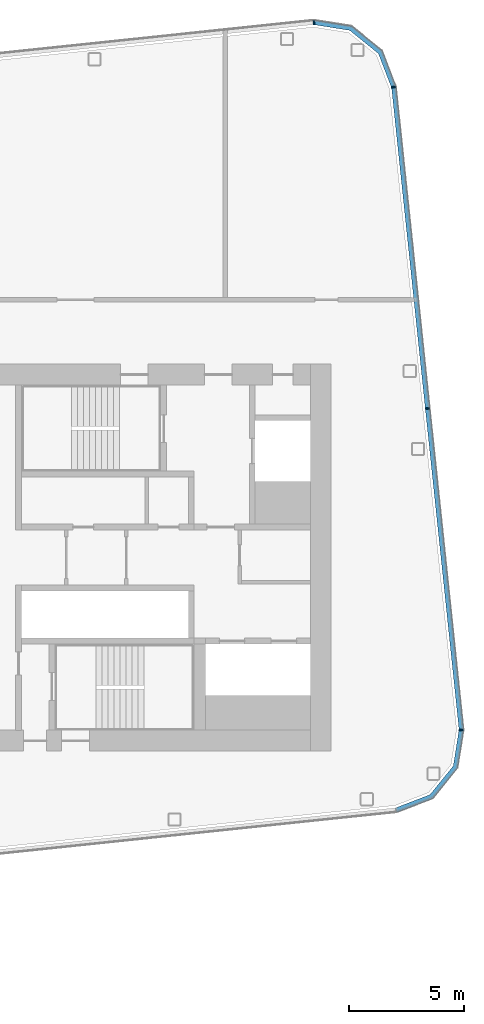
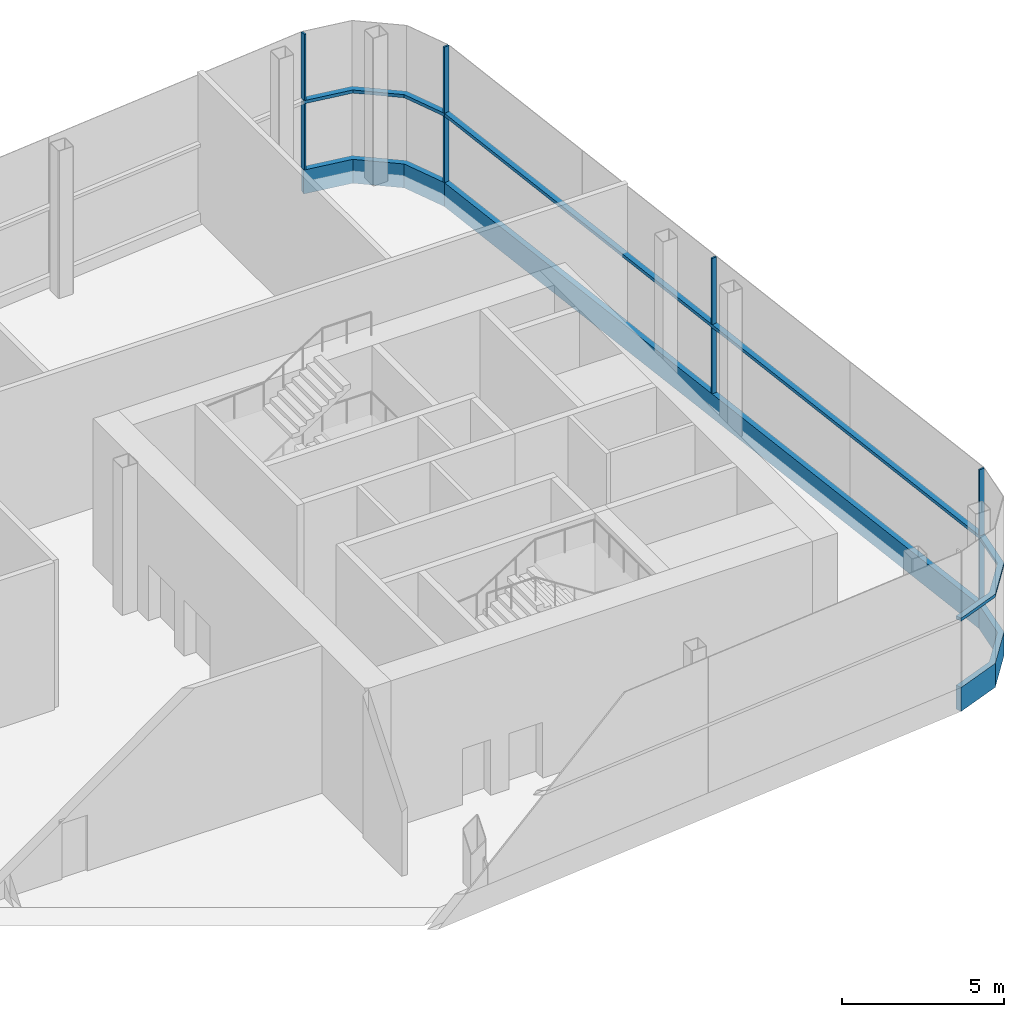
# One storey, part 12 of 35: 14 members, 4 elements without a shape of their own.
"""IFC4 building model written with IfcOpenShell, lengths in metres."""

from ifc_helpers import new_model, si_unit, direction, frame, origin, origin_2d, place, context, subcontext, project, spatial, polyline, rectangle, outline, extrude, material, layer, layer_set, material_profile, profile_set, type_object, element, aggregate, save


model = new_model("IFC4")

# Units and contexts
model_context = context("Model", 3, precision=1e-05, world=origin(), true_north=direction((0.0, 1.0)))
body_context = subcontext(model_context, "Body", "Model", "MODEL_VIEW")
ifc_project = project(units=[si_unit("LENGTHUNIT", "METRE"), si_unit("AREAUNIT", "SQUARE_METRE"), si_unit("VOLUMEUNIT", "CUBIC_METRE"), si_unit("PLANEANGLEUNIT", "RADIAN"), si_unit("MASSUNIT", "GRAM", prefix="KILO")], contexts=[model_context])

# Site, building, storey
site_placement = place(None, origin())
site = spatial("IfcSite", under=ifc_project, at=site_placement, CompositionType="ELEMENT")
building_placement = place(site_placement, origin())
building = spatial("IfcBuilding", under=site, at=building_placement, Name="Hakoniwa Tower and Hamabe Station Hall", CompositionType="ELEMENT")
storey_placement = place(building_placement, frame((0.0, 0.0, 264.60009765625)))
storey = spatial("IfcBuildingStorey", under=building, at=storey_placement, Name="L75", CompositionType="ELEMENT", Elevation=264.60009765625)

# Curtain wall, member
ifc_material_1 = material(Name="Dark low-e laminated glass", Category="glass")
ifc_layer = layer(ifc_material_1, 0.199951171875)
ifc_layer_set = layer_set([ifc_layer], Name="CW-1 UNITISED GUEST")
curtain_wall_type = type_object("IfcCurtainWallType", Name="CW-1 UNITISED GUEST", PredefinedType="NOTDEFINED", material=ifc_layer_set)
curtain_wall_1_placement = place(storey_placement, origin())
curtain_wall_1 = element("IfcCurtainWall", 1, at=curtain_wall_1_placement, inside=storey, type_object=curtain_wall_type, Name="CW-1 curtain wall", PredefinedType="NOTDEFINED")
ifc_material_2 = material(Name="Aluminium 6063-T5 black anodised", Category="aluminium")
ifc_material_profile_1 = material_profile(ifc_material_2, rectangle(XDim=0.199951171875, YDim=0.1201171875, at=origin_2d()), Name="CW MID TRANSOM 120X200")
ifc_profile_set_1 = profile_set([ifc_material_profile_1], Name="Aluminium 6063-T5 black anodised")
member_type_1 = type_object("IfcMemberType", Name="CW MID TRANSOM 120X200", PredefinedType="USERDEFINED", material=ifc_profile_set_1)
member_1_placement = place(storey_placement, frame((39.25927734375, -7.490478515625, 2.89990234375), z_axis=(-0.104529086463, 0.994521829868, 0.0), x_axis=(-0.994521829868, -0.104529086463, 0.0)))
member_1 = element("IfcMember", 2, at=member_1_placement, type_object=member_type_1, Name="CW-1 transom", ObjectType="TRANSOM", PredefinedType="USERDEFINED", context=body_context, shape_type="SweptSolid", body=[
    extrude(rectangle(XDim=0.199951171875, YDim=0.1201171875, at=origin_2d()), origin(), (0.0, 0.0, 1.0), 28.078857421875),
])

curtain_wall_2_placement = place(storey_placement, origin())
curtain_wall_2 = element("IfcCurtainWall", 3, at=curtain_wall_2_placement, inside=storey, type_object=curtain_wall_type, Name="CW-1 curtain wall", PredefinedType="NOTDEFINED")
member_2_placement = place(storey_placement, frame((0.0, 0.0, 2.83984375)))
member_2 = element("IfcMember", 4, at=member_2_placement, type_object=member_type_1, Name="CW-1 transom", ObjectType="TRANSOM", PredefinedType="USERDEFINED", context=body_context, shape_type="SweptSolid", body=[
    extrude(outline(polyline([(36.423828125, 20.445068359375), (35.82421875, 22.0068359375), (34.492431640625, 23.085205078125), (32.84033203125, 23.346923828125), (32.80908203125, 23.1494140625), (34.408203125, 22.89599609375), (35.65673828125, 21.885009765625), (36.237060546875, 20.37353515625), (36.423828125, 20.445068359375)])), origin(), (0.0, 0.0, 1.0), 0.1201171875),
])

curtain_wall_3_placement = place(storey_placement, origin())
curtain_wall_3 = element("IfcCurtainWall", 5, at=curtain_wall_3_placement, inside=storey, type_object=curtain_wall_type, Name="CW-1 curtain wall", PredefinedType="NOTDEFINED")
member_3_placement = place(storey_placement, frame((0.0, 0.0, 2.83984375)))
member_3 = element("IfcMember", 6, at=member_3_placement, type_object=member_type_1, Name="CW-1 transom", ObjectType="TRANSOM", PredefinedType="USERDEFINED", context=body_context, shape_type="SweptSolid", body=[
    extrude(outline(polyline([(36.45703125, -11.0634765625), (38.0185546875, -10.464111328125), (39.09716796875, -9.13232421875), (39.35888671875, -7.47998046875), (39.161376953125, -7.44873046875), (38.907958984375, -9.048095703125), (37.89697265625, -10.296630859375), (36.38525390625, -10.876708984375), (36.45703125, -11.0634765625)])), origin(), (0.0, 0.0, 1.0), 0.1201171875),
])

# Member
ifc_material_3 = material(Name="Aluminium 6063-T5 black anodised", Category="aluminium")
ifc_material_profile_2 = material_profile(ifc_material_3, rectangle(XDim=0.199951171875, YDim=0.89990234375, at=origin_2d()), Name="CW SLAB-EDGE BAND 900X200")
ifc_profile_set_2 = profile_set([ifc_material_profile_2], Name="Aluminium 6063-T5 black anodised")
member_type_2 = type_object("IfcMemberType", Name="CW SLAB-EDGE BAND 900X200", PredefinedType="USERDEFINED", material=ifc_profile_set_2)
member_4_placement = place(storey_placement, frame((39.25927734375, -7.490478515625, -0.10009765625), z_axis=(-0.104529086463, 0.994521829868, 0.0), x_axis=(-0.994521829868, -0.104529086463, 0.0)))
member_4 = element("IfcMember", 7, at=member_4_placement, type_object=member_type_2, Name="CW-1 transom", ObjectType="TRANSOM", PredefinedType="USERDEFINED", context=body_context, shape_type="SweptSolid", body=[
    extrude(rectangle(XDim=0.199951171875, YDim=0.89990234375, at=origin_2d()), origin(), (0.0, 0.0, 1.0), 28.078857421875),
])

member_5_placement = place(storey_placement, frame((0.0, 0.0, -0.550048828125)))
member_5 = element("IfcMember", 8, at=member_5_placement, type_object=member_type_2, Name="CW-1 transom", ObjectType="TRANSOM", PredefinedType="USERDEFINED", context=body_context, shape_type="SweptSolid", body=[
    extrude(outline(polyline([(36.423828125, 20.445068359375), (35.82421875, 22.0068359375), (34.492431640625, 23.085205078125), (32.84033203125, 23.346923828125), (32.80908203125, 23.1494140625), (34.408203125, 22.89599609375), (35.65673828125, 21.885009765625), (36.237060546875, 20.37353515625), (36.423828125, 20.445068359375)])), origin(), (0.0, 0.0, 1.0), 0.89990234375),
])

aggregate(curtain_wall_2, [member_5, member_2])

member_6_placement = place(storey_placement, frame((0.0, 0.0, -0.550048828125)))
member_6 = element("IfcMember", 9, at=member_6_placement, type_object=member_type_2, Name="CW-1 transom", ObjectType="TRANSOM", PredefinedType="USERDEFINED", context=body_context, shape_type="SweptSolid", body=[
    extrude(outline(polyline([(36.45703125, -11.0634765625), (38.0185546875, -10.464111328125), (39.09716796875, -9.13232421875), (39.35888671875, -7.47998046875), (39.161376953125, -7.44873046875), (38.907958984375, -9.048095703125), (37.89697265625, -10.296630859375), (36.38525390625, -10.876708984375), (36.45703125, -11.0634765625)])), origin(), (0.0, 0.0, 1.0), 0.89990234375),
])

aggregate(curtain_wall_3, [member_6, member_3])

ifc_material_4 = material(Name="Aluminium 6063-T5 black anodised", Category="aluminium")
ifc_material_profile_3 = material_profile(ifc_material_4, rectangle(XDim=0.06005859375, YDim=0.179931640625, at=origin_2d()), Name="CW-1 MULLION 60X180")
ifc_profile_set_3 = profile_set([ifc_material_profile_3], Name="Aluminium 6063-T5 black anodised")
member_type_3 = type_object("IfcMemberType", Name="CW-1 MULLION 60X180", PredefinedType="MULLION", material=ifc_profile_set_3)
member_7_placement = place(storey_placement, frame((39.241455078125, -7.492431640625, 0.349853515625), z_axis=(0.0, 0.0, 1.0), x_axis=(-0.104528468631, 0.994521894805, 0.0)))
member_7 = element("IfcMember", 10, at=member_7_placement, type_object=member_type_3, Name="CW-1 mullion", PredefinedType="MULLION", context=body_context, shape_type="SweptSolid", body=[
    extrude(rectangle(XDim=0.06005859375, YDim=0.179931640625, at=origin_2d()), origin(), (0.0, 0.0, 1.0), 2.489990234375),
])

member_8_placement = place(storey_placement, frame((39.241455078125, -7.492431640625, 2.9599609375), z_axis=(0.0, 0.0, 1.0), x_axis=(-0.104528468631, 0.994521894805, 0.0)))
member_8 = element("IfcMember", 11, at=member_8_placement, type_object=member_type_3, Name="CW-1 mullion", PredefinedType="MULLION", context=body_context, shape_type="SweptSolid", body=[
    extrude(rectangle(XDim=0.06005859375, YDim=0.179931640625, at=origin_2d()), origin(), (0.0, 0.0, 1.0), 2.489990234375),
])

member_9_placement = place(storey_placement, frame((37.77392578125, 6.47021484375, 0.349853515625), z_axis=(0.0, 0.0, 1.0), x_axis=(-0.104528468631, 0.994521894805, 0.0)))
member_9 = element("IfcMember", 12, at=member_9_placement, type_object=member_type_3, Name="CW-1 mullion", PredefinedType="MULLION", context=body_context, shape_type="SweptSolid", body=[
    extrude(rectangle(XDim=0.06005859375, YDim=0.179931640625, at=origin_2d()), origin(), (0.0, 0.0, 1.0), 2.489990234375),
])

member_10_placement = place(storey_placement, frame((37.77392578125, 6.47021484375, 2.9599609375), z_axis=(0.0, 0.0, 1.0), x_axis=(-0.104528468631, 0.994521894805, 0.0)))
member_10 = element("IfcMember", 13, at=member_10_placement, type_object=member_type_3, Name="CW-1 mullion", PredefinedType="MULLION", context=body_context, shape_type="SweptSolid", body=[
    extrude(rectangle(XDim=0.06005859375, YDim=0.179931640625, at=origin_2d()), origin(), (0.0, 0.0, 1.0), 2.489990234375),
])

member_11_placement = place(storey_placement, frame((36.306396484375, 20.432861328125, 0.349853515625), z_axis=(0.0, 0.0, 1.0), x_axis=(-0.104528468631, 0.994521894805, 0.0)))
member_11 = element("IfcMember", 14, at=member_11_placement, type_object=member_type_3, Name="CW-1 mullion", PredefinedType="MULLION", context=body_context, shape_type="SweptSolid", body=[
    extrude(rectangle(XDim=0.06005859375, YDim=0.179931640625, at=origin_2d()), origin(), (0.0, 0.0, 1.0), 2.489990234375),
])

member_12_placement = place(storey_placement, frame((36.306396484375, 20.432861328125, 2.9599609375), z_axis=(0.0, 0.0, 1.0), x_axis=(-0.104528468631, 0.994521894805, 0.0)))
member_12 = element("IfcMember", 15, at=member_12_placement, type_object=member_type_3, Name="CW-1 mullion", PredefinedType="MULLION", context=body_context, shape_type="SweptSolid", body=[
    extrude(rectangle(XDim=0.06005859375, YDim=0.179931640625, at=origin_2d()), origin(), (0.0, 0.0, 1.0), 2.489990234375),
])

aggregate(curtain_wall_1, [member_7, member_8, member_9, member_10, member_11, member_12, member_4, member_1])

# Curtain wall, members
curtain_wall_4_placement = place(storey_placement, origin())
curtain_wall_4 = element("IfcCurtainWall", 16, at=curtain_wall_4_placement, inside=storey, type_object=curtain_wall_type, Name="CW-1 curtain wall", PredefinedType="NOTDEFINED")
member_13_placement = place(storey_placement, frame((32.8525390625, 23.2294921875, 0.349853515625), z_axis=(0.0, 0.0, 1.0), x_axis=(-0.994521895272, -0.104528464188, 0.0)))
member_13 = element("IfcMember", 17, at=member_13_placement, type_object=member_type_3, Name="CW-1 mullion", PredefinedType="MULLION", context=body_context, shape_type="SweptSolid", body=[
    extrude(rectangle(XDim=0.06005859375, YDim=0.179931640625, at=origin_2d()), origin(), (0.0, 0.0, 1.0), 2.489990234375),
])
member_14_placement = place(storey_placement, frame((32.8525390625, 23.2294921875, 2.9599609375), z_axis=(0.0, 0.0, 1.0), x_axis=(-0.994521895272, -0.104528464188, 0.0)))
member_14 = element("IfcMember", 18, at=member_14_placement, type_object=member_type_3, Name="CW-1 mullion", PredefinedType="MULLION", context=body_context, shape_type="SweptSolid", body=[
    extrude(rectangle(XDim=0.06005859375, YDim=0.179931640625, at=origin_2d()), origin(), (0.0, 0.0, 1.0), 2.489990234375),
])
aggregate(curtain_wall_4, [member_13, member_14])

save(model, "model.ifc")
